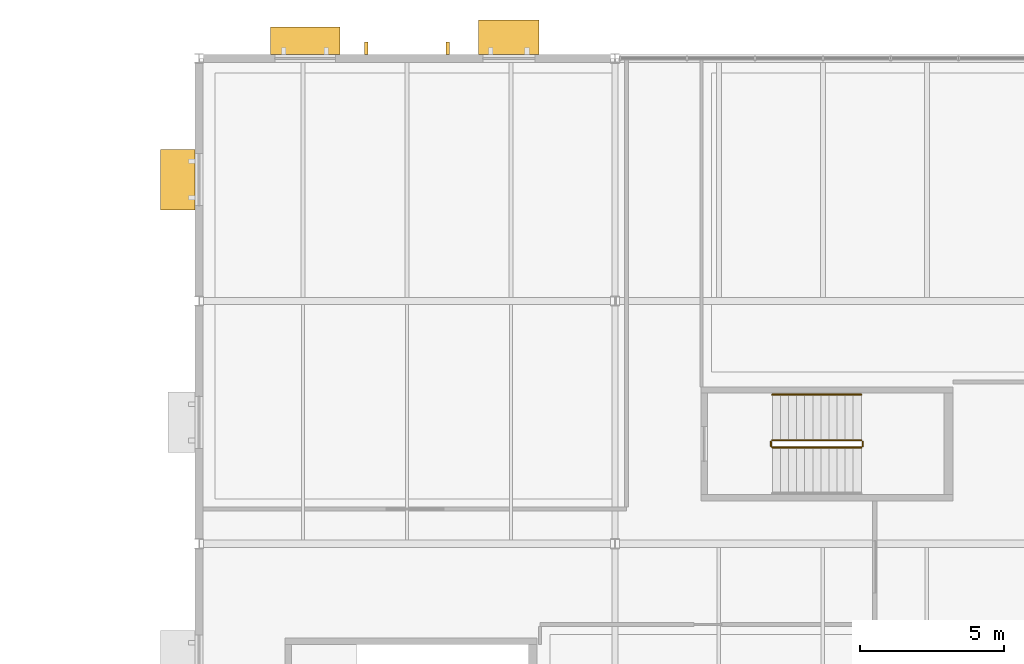
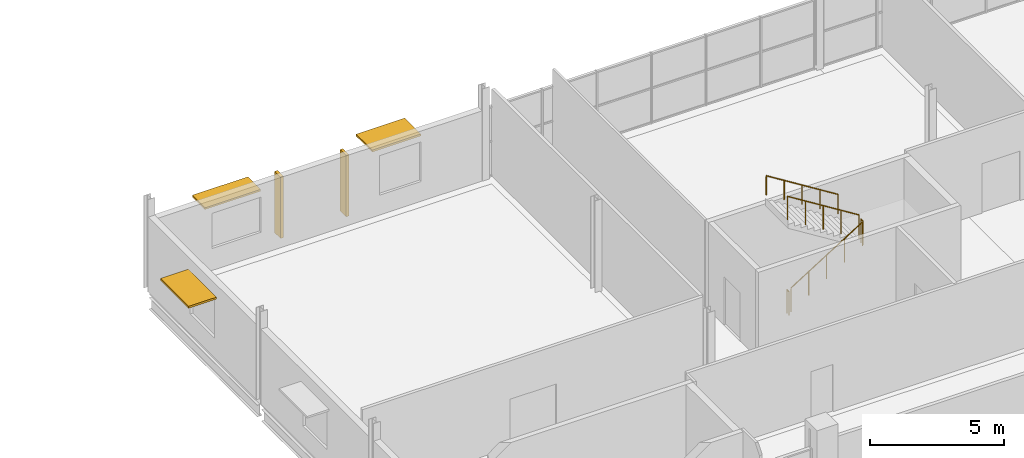
# One storey, part 89 of 93: 5 railings, 5 shading devices.
"""IFC4 building model written with IfcOpenShell, lengths in metres."""

from ifc_helpers import new_model, si_unit, direction, frame, origin, origin_2d, place, context, subcontext, project, spatial, rectangle, circle, extrude, material, layer, layer_set, type_object, element, save


model = new_model("IFC4")

# Units and contexts
model_context = context("Model", 3, precision=1e-05, world=origin(), true_north=direction((0.0, 1.0)))
body_context = subcontext(model_context, "Body", "Model", "MODEL_VIEW")
ifc_project = project(units=[si_unit("LENGTHUNIT", "METRE"), si_unit("AREAUNIT", "SQUARE_METRE"), si_unit("VOLUMEUNIT", "CUBIC_METRE"), si_unit("PLANEANGLEUNIT", "RADIAN"), si_unit("MASSUNIT", "GRAM", prefix="KILO"), si_unit("THERMODYNAMICTEMPERATUREUNIT", "KELVIN")], contexts=[model_context])

# Site, building, storey
site_placement = place(None, origin())
site = spatial("IfcSite", under=ifc_project, at=site_placement, CompositionType="ELEMENT")
building_placement = place(site_placement, origin())
building = spatial("IfcBuilding", under=site, at=building_placement, Name="Nduvali Passage Aquatics Centre", CompositionType="ELEMENT")
storey_placement = place(building_placement, frame((0.0, 0.0, 9.0)))
storey = spatial("IfcBuildingStorey", under=building, at=storey_placement, Name="L02", CompositionType="ELEMENT", Elevation=9.0)

# Shading devices
ifc_material_1 = material(Name="Glulam GL28h", Category="wood")
shading_device_type_1 = type_object("IfcShadingDeviceType", Name="ENV-SHD-FIN1", PredefinedType="USERDEFINED", material=ifc_material_1)
for number, where, z_axis, x_axis, name in (
    (1, (48.2099609375, 117.955078125, 0.2001953125), (0.0, 0.0, 1.0), (-1.0, 0.0, 0.0), "L02 Vertical Glulam Facade Fin 0107"),
    (2, (45.389892578125, 117.955078125, 0.2001953125), (0.0, 0.0, 1.0), (-1.0, 0.0, 0.0), "L02 Vertical Glulam Facade Fin 0108"),
):
    element("IfcShadingDevice", number, at=place(storey_placement, frame(where, z_axis=z_axis, x_axis=x_axis)), inside=storey, type_object=shading_device_type_1, Name=name, ObjectType="VERTICAL FIN", PredefinedType="USERDEFINED", context=body_context, shape_type="SweptSolid", body=[
        extrude(rectangle(XDim=0.1201171875, YDim=0.43994140625, at=origin_2d()), origin(), (0.0, 0.0, 1.0), 2.793701171875),
    ])
ifc_material_2 = material(Name="Aluminium EN AW-6063 T6", Category="aluminium")
ifc_layer_1 = layer(ifc_material_2, 0.090087890625, Name="Aluminium EN AW-6063 T6")
ifc_layer_set_1 = layer_set([ifc_layer_1], Name="Aluminium EN AW-6063 T6")
shading_device_type_2 = type_object("IfcShadingDeviceType", Name="ENV-SHD-SUN1", PredefinedType="AWNING", material=ifc_layer_set_1)
for number, where, z_axis, x_axis, name in (
    (3, (50.324951171875, 118.330078125, 2.7548828125), (0.0, 0.0, 1.0), (-1.0, 0.0, 0.0), "L02 Horizontal Monsoon Sunshade 0105"),
    (4, (38.8701171875, 113.405029296875, 2.7548828125), (0.0, 0.0, 1.0), (0.0, -1.0, 0.0), "L02 Horizontal Monsoon Sunshade 0111"),
):
    element("IfcShadingDevice", number, at=place(storey_placement, frame(where, z_axis=z_axis, x_axis=x_axis)), inside=storey, type_object=shading_device_type_2, Name=name, PredefinedType="AWNING", context=body_context, shape_type="SweptSolid", body=[
        extrude(rectangle(XDim=2.10009765625, YDim=1.199951171875, at=origin_2d()), origin(), (0.0, 0.0, 1.0), 0.090087890625),
    ])
ifc_layer_2 = layer(ifc_material_2, 0.080078125, Name="Aluminium EN AW-6063 T6")
ifc_layer_set_2 = layer_set([ifc_layer_2], Name="Aluminium EN AW-6063 T6")
shading_device_type_3 = type_object("IfcShadingDeviceType", Name="ENV-SHD-SUN2", PredefinedType="AWNING", material=ifc_layer_set_2)
shading_device_placement = place(storey_placement, frame((43.27490234375, 118.205078125, 2.659912109375), z_axis=(0.0, 0.0, 1.0), x_axis=(-1.0, 0.0, 0.0)))
element("IfcShadingDevice", 5, at=shading_device_placement, inside=storey, type_object=shading_device_type_3, Name="L02 Horizontal Monsoon Sunshade 0106", PredefinedType="AWNING", context=body_context, shape_type="SweptSolid", body=[
    extrude(rectangle(XDim=2.39990234375, YDim=0.949951171875, at=origin_2d()), origin(), (0.0, 0.0, 1.0), 0.080078125),
])

# Railings
ifc_material_3 = material(Name="Stainless steel balustrade", Category="steel")
railing_type_1 = type_object("IfcRailingType", Name="INT-RLG-GRD110", PredefinedType="GUARDRAIL", material=ifc_material_3)
railing_1_placement = place(storey_placement, frame((59.449951171875, 104.1298828125, 0.175048828125)))
element("IfcRailing", 6, at=railing_1_placement, inside=storey, type_object=railing_type_1, Name="L02 ST3 stair guard 1", PredefinedType="GUARDRAIL", context=body_context, shape_type="SweptSolid", body=[
    extrude(circle(Radius=0.02392578125, at=origin_2d()), frame((0.0, 0.0, 1.076171875), z_axis=(0.847998304005, 0.0, 0.529998940003), x_axis=(0.0, 1.0, 0.0)), (0.0, 0.0, 1.0), 3.632080078125),
    extrude(circle(Radius=0.02099609375, at=origin_2d()), origin(), (0.0, 0.0, 1.0), 1.052001953125),
    extrude(circle(Radius=0.02099609375, at=origin_2d()), frame((0.77001953125, 0.0, 0.481201171875)), (0.0, 0.0, 1.0), 1.052001953125),
    extrude(circle(Radius=0.02099609375, at=origin_2d()), frame((1.5400390625, 0.0, 0.96240234375)), (0.0, 0.0, 1.0), 1.052001953125),
    extrude(circle(Radius=0.02099609375, at=origin_2d()), frame((2.31005859375, 0.0, 1.44384765625)), (0.0, 0.0, 1.0), 1.052001953125),
    extrude(circle(Radius=0.02099609375, at=origin_2d()), frame((3.080078125, 0.0, 1.925048828125)), (0.0, 0.0, 1.0), 1.052001953125),
])
railing_2_placement = place(storey_placement, frame((62.580078125, 104.179931640625, 2.10009765625)))
element("IfcRailing", 7, at=railing_2_placement, inside=storey, type_object=railing_type_1, Name="L02 ST3 stair guard 2", PredefinedType="GUARDRAIL", context=body_context, shape_type="SweptSolid", body=[
    extrude(circle(Radius=0.02392578125, at=origin_2d()), frame((0.0, 0.0, 1.076171875), z_axis=(0.0, 1.0, 0.0), x_axis=(-1.0, 0.0, 0.0)), (0.0, 0.0, 1.0), 0.150146484375),
    extrude(circle(Radius=0.02099609375, at=origin_2d()), origin(), (0.0, 0.0, 1.0), 1.052001953125),
    extrude(circle(Radius=0.02099609375, at=origin_2d()), frame((0.0, 0.150146484375, 0.0)), (0.0, 0.0, 1.0), 1.052001953125),
])
railing_3_placement = place(storey_placement, frame((62.530029296875, 104.3798828125, 2.27490234375)))
element("IfcRailing", 8, at=railing_3_placement, inside=storey, type_object=railing_type_1, Name="L02 ST3 stair guard 3", PredefinedType="GUARDRAIL", context=body_context, shape_type="SweptSolid", body=[
    extrude(circle(Radius=0.02392578125, at=origin_2d()), frame((0.0, 0.0, 1.076171875), z_axis=(-0.847998304005, 0.0, 0.529998940003), x_axis=(0.0, -1.0, 0.0)), (0.0, 0.0, 1.0), 3.632080078125),
    extrude(circle(Radius=0.02099609375, at=origin_2d()), origin(), (0.0, 0.0, 1.0), 1.052001953125),
    extrude(circle(Radius=0.02099609375, at=origin_2d()), frame((-0.77001953125, 0.0, 0.481201171875)), (0.0, 0.0, 1.0), 1.052001953125),
    extrude(circle(Radius=0.02099609375, at=origin_2d()), frame((-1.5400390625, 0.0, 0.96240234375)), (0.0, 0.0, 1.0), 1.052001953125),
    extrude(circle(Radius=0.02099609375, at=origin_2d()), frame((-2.31005859375, 0.0, 1.44384765625)), (0.0, 0.0, 1.0), 1.052001953125),
    extrude(circle(Radius=0.02099609375, at=origin_2d()), frame((-3.080078125, 0.0, 1.925048828125)), (0.0, 0.0, 1.0), 1.052001953125),
])
railing_4_placement = place(storey_placement, frame((59.39990234375, 104.179931640625, 0.0)))
element("IfcRailing", 9, at=railing_4_placement, inside=storey, type_object=railing_type_1, Name="L02 ST3 stair guard 4", PredefinedType="GUARDRAIL", context=body_context, shape_type="SweptSolid", body=[
    extrude(circle(Radius=0.02392578125, at=origin_2d()), frame((0.0, 0.0, 1.076171875), z_axis=(0.0, 1.0, 0.0), x_axis=(-1.0, 0.0, 0.0)), (0.0, 0.0, 1.0), 0.150146484375),
    extrude(circle(Radius=0.02099609375, at=origin_2d()), origin(), (0.0, 0.0, 1.0), 1.052001953125),
    extrude(circle(Radius=0.02099609375, at=origin_2d()), frame((0.0, 0.150146484375, 0.0)), (0.0, 0.0, 1.0), 1.052001953125),
])
railing_type_2 = type_object("IfcRailingType", Name="INT-RLG-HND90", PredefinedType="HANDRAIL", material=ifc_material_3)
railing_5_placement = place(storey_placement, frame((62.530029296875, 105.9599609375, 2.45361328125)))
element("IfcRailing", 10, at=railing_5_placement, inside=storey, type_object=railing_type_2, Name="L02 ST3 stair handrail 2", PredefinedType="HANDRAIL", context=body_context, shape_type="SweptSolid", body=[
    extrude(circle(Radius=0.02392578125, at=origin_2d()), frame((0.0, 0.0, 0.8759765625), z_axis=(-0.847998304005, 0.0, 0.529998940003), x_axis=(0.0, -1.0, 0.0)), (0.0, 0.0, 1.0), 3.632080078125),
    extrude(circle(Radius=0.02099609375, at=origin_2d()), origin(), (0.0, 0.0, 1.0), 0.851806640625),
    extrude(circle(Radius=0.02099609375, at=origin_2d()), frame((-0.77001953125, 0.0, 0.481201171875)), (0.0, 0.0, 1.0), 0.851806640625),
    extrude(circle(Radius=0.02099609375, at=origin_2d()), frame((-1.5400390625, 0.0, 0.96240234375)), (0.0, 0.0, 1.0), 0.851806640625),
    extrude(circle(Radius=0.02099609375, at=origin_2d()), frame((-2.31005859375, 0.0, 1.44384765625)), (0.0, 0.0, 1.0), 0.851806640625),
    extrude(circle(Radius=0.02099609375, at=origin_2d()), frame((-3.080078125, 0.0, 1.925048828125)), (0.0, 0.0, 1.0), 0.851806640625),
])

save(model, "model.ifc")
